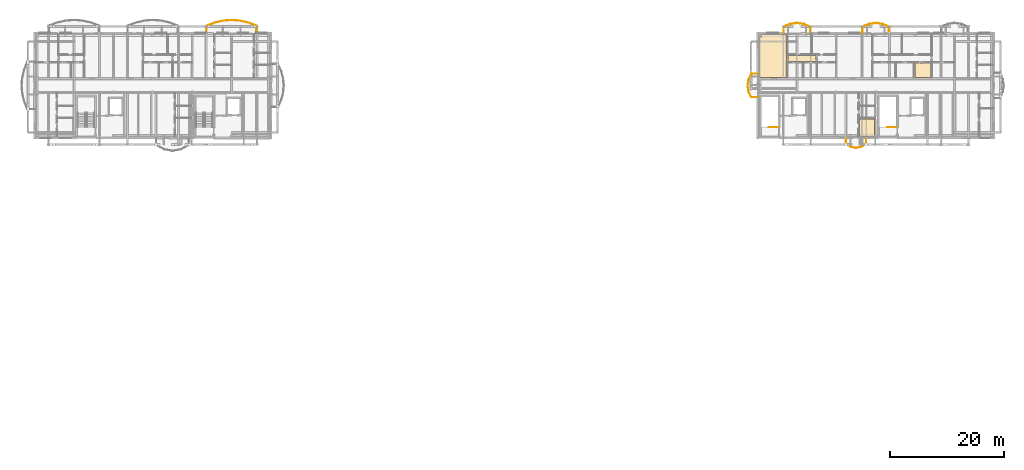
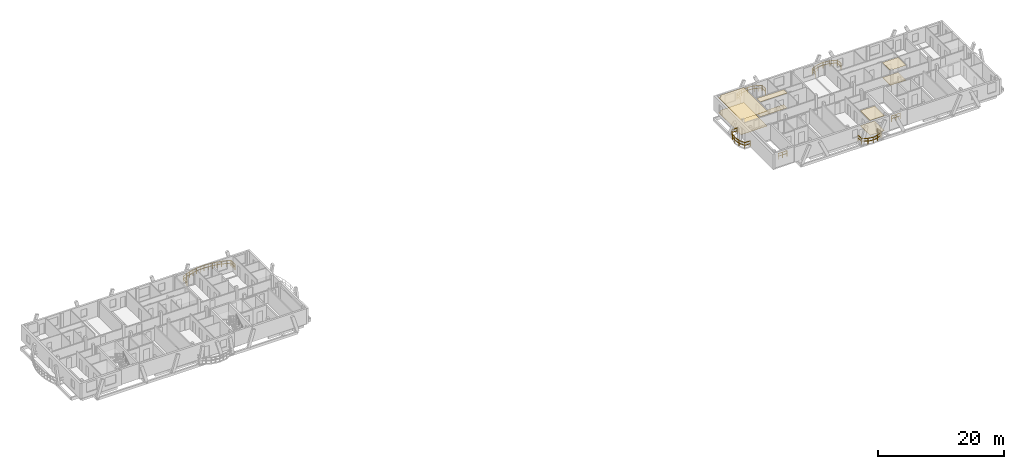
# One storey, part 28 of 29: 8 coverings, 7 railings.
"""IFC4 building model written with IfcOpenShell, lengths in metres."""

from ifc_helpers import new_model, si_unit, direction, frame, origin, origin_2d, place, context, subcontext, project, spatial, polyline, rectangle, outline, extrude, material, layer, layer_set, type_object, element, save


model = new_model("IFC4")

# Units and contexts
model_context = context("Model", 3, precision=1e-05, world=origin(), true_north=direction((0.0, 1.0)))
body_context = subcontext(model_context, "Body", "Model", "MODEL_VIEW")
ifc_project = project(units=[si_unit("LENGTHUNIT", "METRE"), si_unit("AREAUNIT", "SQUARE_METRE"), si_unit("VOLUMEUNIT", "CUBIC_METRE"), si_unit("PLANEANGLEUNIT", "RADIAN"), si_unit("MASSUNIT", "GRAM", prefix="KILO")], contexts=[model_context])

# Site, building, storey
site_placement = place(None, origin())
site = spatial("IfcSite", under=ifc_project, at=site_placement, CompositionType="ELEMENT")
building_placement = place(site_placement, origin())
building = spatial("IfcBuilding", under=site, at=building_placement, Name="Zavelmont Quarter", CompositionType="ELEMENT")
storey_placement = place(building_placement, frame((0.0, 0.0, 33.60009765625)))
storey = spatial("IfcBuildingStorey", under=building, at=storey_placement, Name="L10", CompositionType="ELEMENT", Elevation=33.60009765625)

# Coverings
ifc_material_1 = material(Name="Perforated acoustic gypsum board")
ifc_layer_1 = layer(ifc_material_1, 0.02490234375)
ifc_layer_set_1 = layer_set([ifc_layer_1], Name="Perforated acoustic gypsum board")
covering_type_1 = type_object("IfcCoveringType", Name="CV-CL01", PredefinedType="CEILING", material=ifc_layer_set_1)
covering_1_placement = place(storey_placement, frame((0.0, 0.0, 2.885009765625)))
element("IfcCovering", 1, at=covering_1_placement, inside=storey, type_object=covering_type_1, Name="L10 Living Dining acoustic ceiling", PredefinedType="CEILING", context=body_context, shape_type="SweptSolid", body=[
    extrude(outline(polyline([(126.830078125, 115.320068359375), (127.280029296875, 115.320068359375), (127.280029296875, 115.719970703125), (131.669921875, 115.719970703125), (131.669921875, 108.22998046875), (127.280029296875, 108.22998046875), (127.280029296875, 108.239990234375), (126.830078125, 108.239990234375), (126.830078125, 115.320068359375)])), origin(), (0.0, 0.0, 1.0), 0.02490234375),
])
covering_2_placement = place(storey_placement, frame((0.0, 0.0, 2.885009765625)))
element("IfcCovering", 2, at=covering_2_placement, inside=storey, type_object=covering_type_1, Name="L10 Utility Laundry acoustic ceiling", PredefinedType="CEILING", context=body_context, shape_type="SweptSolid", body=[
    extrude(outline(polyline([(154.1298828125, 110.719970703125), (156.969970703125, 110.719970703125), (156.969970703125, 108.22998046875), (154.43994140625, 108.22998046875), (154.43994140625, 108.239990234375), (154.1298828125, 108.239990234375), (154.1298828125, 110.719970703125)])), origin(), (0.0, 0.0, 1.0), 0.02490234375),
])
covering_3_placement = place(storey_placement, frame((0.0, 0.0, 2.885009765625)))
element("IfcCovering", 3, at=covering_3_placement, inside=storey, type_object=covering_type_1, Name="L10 Single Bedroom acoustic ceiling", PredefinedType="CEILING", context=body_context, shape_type="SweptSolid", body=[
    extrude(outline(polyline([(144.429931640625, 100.969970703125), (147.070068359375, 100.969970703125), (147.070068359375, 98.280029296875), (147.06005859375, 98.280029296875), (147.06005859375, 97.8798828125), (144.429931640625, 97.8798828125), (144.429931640625, 100.969970703125)])), origin(), (0.0, 0.0, 1.0), 0.02490234375),
])
ifc_material_2 = material(Name="Slatted European ash acoustic baffle ceiling")
ifc_layer_2 = layer(ifc_material_2, 0.0400390625)
ifc_layer_set_2 = layer_set([ifc_layer_2], Name="Slatted European ash acoustic baffle ceiling")
covering_type_2 = type_object("IfcCoveringType", Name="CV-CL02", PredefinedType="CEILING", material=ifc_layer_set_2)
covering_4_placement = place(storey_placement, frame((0.0, 0.0, 2.869873046875)))
element("IfcCovering", 4, at=covering_4_placement, inside=storey, type_object=covering_type_2, Name="L10 Apartment Hall acoustic ceiling", PredefinedType="CEILING", context=body_context, shape_type="SweptSolid", body=[
    extrude(outline(polyline([(131.929931640625, 112.070068359375), (136.8701171875, 112.070068359375), (136.8701171875, 110.97998046875), (131.929931640625, 110.97998046875), (131.929931640625, 112.070068359375)])), origin(), (0.0, 0.0, 1.0), 0.0400390625),
])
ifc_material_3 = material(Name="Engineered European oak parquet")
ifc_layer_3 = layer(ifc_material_3, 0.02197265625)
ifc_layer_set_3 = layer_set([ifc_layer_3], Name="Engineered European oak parquet")
covering_type_3 = type_object("IfcCoveringType", Name="CV-FL01", PredefinedType="FLOORING", material=ifc_layer_set_3)
covering_5_placement = place(storey_placement, origin())
element("IfcCovering", 5, at=covering_5_placement, inside=storey, type_object=covering_type_3, Name="L10 Living Dining floor finish", PredefinedType="FLOORING", context=body_context, shape_type="SweptSolid", body=[
    extrude(outline(polyline([(126.830078125, 115.320068359375), (127.280029296875, 115.320068359375), (127.280029296875, 115.719970703125), (131.669921875, 115.719970703125), (131.669921875, 108.22998046875), (127.280029296875, 108.22998046875), (127.280029296875, 108.239990234375), (126.830078125, 108.239990234375), (126.830078125, 115.320068359375)])), origin(), (0.0, 0.0, 1.0), 0.02197265625),
])
covering_6_placement = place(storey_placement, origin())
element("IfcCovering", 6, at=covering_6_placement, inside=storey, type_object=covering_type_3, Name="L10 Utility Laundry floor finish", PredefinedType="FLOORING", context=body_context, shape_type="SweptSolid", body=[
    extrude(outline(polyline([(154.1298828125, 110.719970703125), (156.969970703125, 110.719970703125), (156.969970703125, 108.22998046875), (154.43994140625, 108.22998046875), (154.43994140625, 108.239990234375), (154.1298828125, 108.239990234375), (154.1298828125, 110.719970703125)])), origin(), (0.0, 0.0, 1.0), 0.02197265625),
])
covering_7_placement = place(storey_placement, origin())
element("IfcCovering", 7, at=covering_7_placement, inside=storey, type_object=covering_type_3, Name="L10 Single Bedroom floor finish", PredefinedType="FLOORING", context=body_context, shape_type="SweptSolid", body=[
    extrude(outline(polyline([(144.429931640625, 100.969970703125), (147.070068359375, 100.969970703125), (147.070068359375, 98.280029296875), (147.06005859375, 98.280029296875), (147.06005859375, 97.8798828125), (144.429931640625, 97.8798828125), (144.429931640625, 100.969970703125)])), origin(), (0.0, 0.0, 1.0), 0.02197265625),
])
ifc_material_4 = material(Name="Honed Belgian bluestone tile", Category="masonry")
ifc_layer_4 = layer(ifc_material_4, 0.030029296875)
ifc_layer_set_4 = layer_set([ifc_layer_4], Name="Honed Belgian bluestone tile")
covering_type_4 = type_object("IfcCoveringType", Name="CV-FL02", PredefinedType="FLOORING", material=ifc_layer_set_4)
covering_8_placement = place(storey_placement, origin())
element("IfcCovering", 8, at=covering_8_placement, inside=storey, type_object=covering_type_4, Name="L10 Apartment Hall floor finish", PredefinedType="FLOORING", context=body_context, shape_type="SweptSolid", body=[
    extrude(outline(polyline([(131.929931640625, 112.070068359375), (136.8701171875, 112.070068359375), (136.8701171875, 110.97998046875), (131.929931640625, 110.97998046875), (131.929931640625, 112.070068359375)])), origin(), (0.0, 0.0, 1.0), 0.02978515625),
])

# Railings
ifc_material_5 = material(Name="Powder-coated steel and tempered double safety glass", Category="steel")
railing_type_1 = type_object("IfcRailingType", Name="RL-BAL1", PredefinedType="BALUSTRADE", material=ifc_material_5)
railing_1_placement = place(storey_placement, frame((38.87451171875, 116.02001953125, 0.0)))
element("IfcRailing", 9, at=railing_1_placement, inside=storey, type_object=railing_type_1, Name="L10 Block B curved balcony guard RL-BAL1", PredefinedType="BALUSTRADE", context=body_context, shape_type="SweptSolid", body=[
    extrude(rectangle(XDim=0.048095703125, YDim=0.048095703125, at=origin_2d()), frame((0.0, 0.0, 1.076171875), z_axis=(0.0, 1.0, 0.0), x_axis=(-1.0, 0.0, 0.0)), (0.0, 0.0, 1.0), 1.239990234375),
    extrude(rectangle(XDim=0.048095703125, YDim=0.048095703125, at=origin_2d()), frame((0.0, 0.0, 0.550048828125), z_axis=(0.0, 1.0, 0.0), x_axis=(-1.0, 0.0, 0.0)), (0.0, 0.0, 1.0), 1.239990234375),
    extrude(rectangle(XDim=0.048095703125, YDim=0.048095703125, at=origin_2d()), frame((0.0, 1.239990234375, 1.076171875), z_axis=(-0.935651500785, 0.352925302406, 0.0), x_axis=(-0.352925302406, -0.935651500785, 0.0)), (0.0, 0.0, 1.0), 1.55859375),
    extrude(rectangle(XDim=0.048095703125, YDim=0.048095703125, at=origin_2d()), frame((0.0, 1.239990234375, 0.550048828125), z_axis=(-0.935651500785, 0.352925302406, 0.0), x_axis=(-0.352925302406, -0.935651500785, 0.0)), (0.0, 0.0, 1.0), 1.55859375),
    extrude(rectangle(XDim=0.048095703125, YDim=0.048095703125, at=origin_2d()), frame((-1.458251953125, 1.7900390625, 1.076171875), z_axis=(-0.975353767197, 0.220646841842, 0.0), x_axis=(-0.220646841842, -0.975353767197, 0.0)), (0.0, 0.0, 1.0), 1.494873046875),
    extrude(rectangle(XDim=0.048095703125, YDim=0.048095703125, at=origin_2d()), frame((-1.458251953125, 1.7900390625, 0.550048828125), z_axis=(-0.975353767197, 0.220646841842, 0.0), x_axis=(-0.220646841842, -0.975353767197, 0.0)), (0.0, 0.0, 1.0), 1.494873046875),
    extrude(rectangle(XDim=0.048095703125, YDim=0.048095703125, at=origin_2d()), frame((-2.916259765625, 2.119873046875, 1.076171875), z_axis=(-0.997161519689, 0.075292122113, 0.0), x_axis=(-0.075292122113, -0.997161519689, 0.0)), (0.0, 0.0, 1.0), 1.46240234375),
    extrude(rectangle(XDim=0.048095703125, YDim=0.048095703125, at=origin_2d()), frame((-2.916259765625, 2.119873046875, 0.550048828125), z_axis=(-0.997161519689, 0.075292122113, 0.0), x_axis=(-0.075292122113, -0.997161519689, 0.0)), (0.0, 0.0, 1.0), 1.46240234375),
    extrude(rectangle(XDim=0.048095703125, YDim=0.048095703125, at=origin_2d()), frame((-4.37451171875, 2.22998046875, 1.076171875), z_axis=(-0.997161519689, -0.075292122113, 0.0), x_axis=(0.075292122113, -0.997161519689, 0.0)), (0.0, 0.0, 1.0), 1.46240234375),
    extrude(rectangle(XDim=0.048095703125, YDim=0.048095703125, at=origin_2d()), frame((-4.37451171875, 2.22998046875, 0.550048828125), z_axis=(-0.997161519689, -0.075292122113, 0.0), x_axis=(0.075292122113, -0.997161519689, 0.0)), (0.0, 0.0, 1.0), 1.46240234375),
    extrude(rectangle(XDim=0.048095703125, YDim=0.048095703125, at=origin_2d()), frame((-5.832763671875, 2.119873046875, 1.076171875), z_axis=(-0.975353767197, -0.220646841842, 0.0), x_axis=(0.220646841842, -0.975353767197, 0.0)), (0.0, 0.0, 1.0), 1.494873046875),
    extrude(rectangle(XDim=0.048095703125, YDim=0.048095703125, at=origin_2d()), frame((-5.832763671875, 2.119873046875, 0.550048828125), z_axis=(-0.975353767197, -0.220646841842, 0.0), x_axis=(0.220646841842, -0.975353767197, 0.0)), (0.0, 0.0, 1.0), 1.494873046875),
    extrude(rectangle(XDim=0.048095703125, YDim=0.048095703125, at=origin_2d()), frame((-7.290771484375, 1.7900390625, 1.076171875), z_axis=(-0.935651500785, -0.352925302406, 0.0), x_axis=(0.352925302406, -0.935651500785, 0.0)), (0.0, 0.0, 1.0), 1.55859375),
    extrude(rectangle(XDim=0.048095703125, YDim=0.048095703125, at=origin_2d()), frame((-7.290771484375, 1.7900390625, 0.550048828125), z_axis=(-0.935651500785, -0.352925302406, 0.0), x_axis=(0.352925302406, -0.935651500785, 0.0)), (0.0, 0.0, 1.0), 1.55859375),
    extrude(rectangle(XDim=0.048095703125, YDim=0.048095703125, at=origin_2d()), frame((-8.7490234375, 1.239990234375, 1.076171875), z_axis=(0.0, -1.0, 0.0), x_axis=(1.0, 0.0, 0.0)), (0.0, 0.0, 1.0), 1.239990234375),
    extrude(rectangle(XDim=0.048095703125, YDim=0.048095703125, at=origin_2d()), frame((-8.7490234375, 1.239990234375, 0.550048828125), z_axis=(0.0, -1.0, 0.0), x_axis=(1.0, 0.0, 0.0)), (0.0, 0.0, 1.0), 1.239990234375),
    extrude(rectangle(XDim=0.0419921875, YDim=0.0419921875, at=origin_2d()), origin(), (0.0, 0.0, 1.0), 1.052001953125),
    extrude(rectangle(XDim=0.0419921875, YDim=0.0419921875, at=origin_2d()), frame((0.0, 0.6201171875, 0.0)), (0.0, 0.0, 1.0), 1.052001953125),
    extrude(rectangle(XDim=0.0419921875, YDim=0.0419921875, at=origin_2d()), frame((0.0, 1.239990234375, 0.0)), (0.0, 0.0, 1.0), 1.052001953125),
    extrude(rectangle(XDim=0.0419921875, YDim=0.0419921875, at=origin_2d()), frame((-0.72900390625, 1.51513671875, 0.0)), (0.0, 0.0, 1.0), 1.052001953125),
    extrude(rectangle(XDim=0.0419921875, YDim=0.0419921875, at=origin_2d()), frame((-1.458251953125, 1.7900390625, 0.0)), (0.0, 0.0, 1.0), 1.052001953125),
    extrude(rectangle(XDim=0.0419921875, YDim=0.0419921875, at=origin_2d()), frame((-2.187255859375, 1.955078125, 0.0)), (0.0, 0.0, 1.0), 1.052001953125),
    extrude(rectangle(XDim=0.0419921875, YDim=0.0419921875, at=origin_2d()), frame((-2.916259765625, 2.119873046875, 0.0)), (0.0, 0.0, 1.0), 1.052001953125),
    extrude(rectangle(XDim=0.0419921875, YDim=0.0419921875, at=origin_2d()), frame((-3.6455078125, 2.1748046875, 0.0)), (0.0, 0.0, 1.0), 1.052001953125),
    extrude(rectangle(XDim=0.0419921875, YDim=0.0419921875, at=origin_2d()), frame((-4.37451171875, 2.22998046875, 0.0)), (0.0, 0.0, 1.0), 1.052001953125),
    extrude(rectangle(XDim=0.0419921875, YDim=0.0419921875, at=origin_2d()), frame((-5.103515625, 2.1748046875, 0.0)), (0.0, 0.0, 1.0), 1.052001953125),
    extrude(rectangle(XDim=0.0419921875, YDim=0.0419921875, at=origin_2d()), frame((-5.832763671875, 2.119873046875, 0.0)), (0.0, 0.0, 1.0), 1.052001953125),
    extrude(rectangle(XDim=0.0419921875, YDim=0.0419921875, at=origin_2d()), frame((-6.561767578125, 1.955078125, 0.0)), (0.0, 0.0, 1.0), 1.052001953125),
    extrude(rectangle(XDim=0.0419921875, YDim=0.0419921875, at=origin_2d()), frame((-7.290771484375, 1.7900390625, 0.0)), (0.0, 0.0, 1.0), 1.052001953125),
    extrude(rectangle(XDim=0.0419921875, YDim=0.0419921875, at=origin_2d()), frame((-8.02001953125, 1.51513671875, 0.0)), (0.0, 0.0, 1.0), 1.052001953125),
    extrude(rectangle(XDim=0.0419921875, YDim=0.0419921875, at=origin_2d()), frame((-8.7490234375, 1.239990234375, 0.0)), (0.0, 0.0, 1.0), 1.052001953125),
    extrude(rectangle(XDim=0.0419921875, YDim=0.0419921875, at=origin_2d()), frame((-8.7490234375, 0.6201171875, 0.0)), (0.0, 0.0, 1.0), 1.052001953125),
    extrude(rectangle(XDim=0.0419921875, YDim=0.0419921875, at=origin_2d()), frame((-8.7490234375, 0.0, 0.0)), (0.0, 0.0, 1.0), 1.052001953125),
])
railing_2_placement = place(storey_placement, frame((135.808837890625, 116.02001953125, 0.0)))
element("IfcRailing", 10, at=railing_2_placement, inside=storey, type_object=railing_type_1, Name="L10 Block C curved balcony guard RL-BAL1", PredefinedType="BALUSTRADE", context=body_context, shape_type="SweptSolid", body=[
    extrude(rectangle(XDim=0.048095703125, YDim=0.048095703125, at=origin_2d()), frame((0.0, 0.0, 1.076171875), z_axis=(0.0, 1.0, 0.0), x_axis=(-1.0, 0.0, 0.0)), (0.0, 0.0, 1.0), 1.080078125),
    extrude(rectangle(XDim=0.048095703125, YDim=0.048095703125, at=origin_2d()), frame((0.0, 0.0, 0.550048828125), z_axis=(0.0, 1.0, 0.0), x_axis=(-1.0, 0.0, 0.0)), (0.0, 0.0, 1.0), 1.080078125),
    extrude(rectangle(XDim=0.048095703125, YDim=0.048095703125, at=origin_2d()), frame((0.0, 1.080078125, 1.076171875), z_axis=(-0.925930107174, 0.377694898866, 0.0), x_axis=(-0.377694898866, -0.925930107174, 0.0)), (0.0, 0.0, 1.0), 1.246826171875),
    extrude(rectangle(XDim=0.048095703125, YDim=0.048095703125, at=origin_2d()), frame((0.0, 1.080078125, 0.550048828125), z_axis=(-0.925930107174, 0.377694898866, 0.0), x_axis=(-0.377694898866, -0.925930107174, 0.0)), (0.0, 0.0, 1.0), 1.246826171875),
    extrude(rectangle(XDim=0.048095703125, YDim=0.048095703125, at=origin_2d()), frame((-1.154541015625, 1.551025390625, 1.076171875), z_axis=(-0.990878566261, 0.134757808398, 0.0), x_axis=(-0.134757808398, -0.990878566261, 0.0)), (0.0, 0.0, 1.0), 1.1650390625),
    extrude(rectangle(XDim=0.048095703125, YDim=0.048095703125, at=origin_2d()), frame((-1.154541015625, 1.551025390625, 0.550048828125), z_axis=(-0.990878566261, 0.134757808398, 0.0), x_axis=(-0.134757808398, -0.990878566261, 0.0)), (0.0, 0.0, 1.0), 1.1650390625),
    extrude(rectangle(XDim=0.048095703125, YDim=0.048095703125, at=origin_2d()), frame((-2.308837890625, 1.7080078125, 1.076171875), z_axis=(-0.990878566261, -0.134757808398, 0.0), x_axis=(0.134757808398, -0.990878566261, 0.0)), (0.0, 0.0, 1.0), 1.1650390625),
    extrude(rectangle(XDim=0.048095703125, YDim=0.048095703125, at=origin_2d()), frame((-2.308837890625, 1.7080078125, 0.550048828125), z_axis=(-0.990878566261, -0.134757808398, 0.0), x_axis=(0.134757808398, -0.990878566261, 0.0)), (0.0, 0.0, 1.0), 1.1650390625),
    extrude(rectangle(XDim=0.048095703125, YDim=0.048095703125, at=origin_2d()), frame((-3.463134765625, 1.551025390625, 1.076171875), z_axis=(-0.925930107174, -0.377694898866, 0.0), x_axis=(0.377694898866, -0.925930107174, 0.0)), (0.0, 0.0, 1.0), 1.246826171875),
    extrude(rectangle(XDim=0.048095703125, YDim=0.048095703125, at=origin_2d()), frame((-3.463134765625, 1.551025390625, 0.550048828125), z_axis=(-0.925930107174, -0.377694898866, 0.0), x_axis=(0.377694898866, -0.925930107174, 0.0)), (0.0, 0.0, 1.0), 1.246826171875),
    extrude(rectangle(XDim=0.048095703125, YDim=0.048095703125, at=origin_2d()), frame((-4.61767578125, 1.080078125, 1.076171875), z_axis=(0.0, -1.0, 0.0), x_axis=(1.0, 0.0, 0.0)), (0.0, 0.0, 1.0), 1.080078125),
    extrude(rectangle(XDim=0.048095703125, YDim=0.048095703125, at=origin_2d()), frame((-4.61767578125, 1.080078125, 0.550048828125), z_axis=(0.0, -1.0, 0.0), x_axis=(1.0, 0.0, 0.0)), (0.0, 0.0, 1.0), 1.080078125),
    extrude(rectangle(XDim=0.0419921875, YDim=0.0419921875, at=origin_2d()), origin(), (0.0, 0.0, 1.0), 1.052001953125),
    extrude(rectangle(XDim=0.0419921875, YDim=0.0419921875, at=origin_2d()), frame((0.0, 1.080078125, 0.0)), (0.0, 0.0, 1.0), 1.052001953125),
    extrude(rectangle(XDim=0.0419921875, YDim=0.0419921875, at=origin_2d()), frame((-0.5771484375, 1.3154296875, 0.0)), (0.0, 0.0, 1.0), 1.052001953125),
    extrude(rectangle(XDim=0.0419921875, YDim=0.0419921875, at=origin_2d()), frame((-1.154541015625, 1.551025390625, 0.0)), (0.0, 0.0, 1.0), 1.052001953125),
    extrude(rectangle(XDim=0.0419921875, YDim=0.0419921875, at=origin_2d()), frame((-2.308837890625, 1.7080078125, 0.0)), (0.0, 0.0, 1.0), 1.052001953125),
    extrude(rectangle(XDim=0.0419921875, YDim=0.0419921875, at=origin_2d()), frame((-3.463134765625, 1.551025390625, 0.0)), (0.0, 0.0, 1.0), 1.052001953125),
    extrude(rectangle(XDim=0.0419921875, YDim=0.0419921875, at=origin_2d()), frame((-4.04052734375, 1.3154296875, 0.0)), (0.0, 0.0, 1.0), 1.052001953125),
    extrude(rectangle(XDim=0.0419921875, YDim=0.0419921875, at=origin_2d()), frame((-4.61767578125, 1.080078125, 0.0)), (0.0, 0.0, 1.0), 1.052001953125),
    extrude(rectangle(XDim=0.0419921875, YDim=0.0419921875, at=origin_2d()), frame((-4.61767578125, 0.0, 0.0)), (0.0, 0.0, 1.0), 1.052001953125),
])
railing_3_placement = place(storey_placement, frame((149.60888671875, 116.02001953125, 0.0)))
element("IfcRailing", 11, at=railing_3_placement, inside=storey, type_object=railing_type_1, Name="L10 Block C curved balcony guard RL-BAL1", PredefinedType="BALUSTRADE", context=body_context, shape_type="SweptSolid", body=[
    extrude(rectangle(XDim=0.048095703125, YDim=0.048095703125, at=origin_2d()), frame((0.0, 0.0, 1.076171875), z_axis=(0.0, 1.0, 0.0), x_axis=(-1.0, 0.0, 0.0)), (0.0, 0.0, 1.0), 1.080078125),
    extrude(rectangle(XDim=0.048095703125, YDim=0.048095703125, at=origin_2d()), frame((0.0, 0.0, 0.550048828125), z_axis=(0.0, 1.0, 0.0), x_axis=(-1.0, 0.0, 0.0)), (0.0, 0.0, 1.0), 1.080078125),
    extrude(rectangle(XDim=0.048095703125, YDim=0.048095703125, at=origin_2d()), frame((0.0, 1.080078125, 1.076171875), z_axis=(-0.925930107174, 0.377694898866, 0.0), x_axis=(-0.377694898866, -0.925930107174, 0.0)), (0.0, 0.0, 1.0), 1.246826171875),
    extrude(rectangle(XDim=0.048095703125, YDim=0.048095703125, at=origin_2d()), frame((0.0, 1.080078125, 0.550048828125), z_axis=(-0.925930107174, 0.377694898866, 0.0), x_axis=(-0.377694898866, -0.925930107174, 0.0)), (0.0, 0.0, 1.0), 1.246826171875),
    extrude(rectangle(XDim=0.048095703125, YDim=0.048095703125, at=origin_2d()), frame((-1.154541015625, 1.551025390625, 1.076171875), z_axis=(-0.990878566261, 0.134757808398, 0.0), x_axis=(-0.134757808398, -0.990878566261, 0.0)), (0.0, 0.0, 1.0), 1.1650390625),
    extrude(rectangle(XDim=0.048095703125, YDim=0.048095703125, at=origin_2d()), frame((-1.154541015625, 1.551025390625, 0.550048828125), z_axis=(-0.990878566261, 0.134757808398, 0.0), x_axis=(-0.134757808398, -0.990878566261, 0.0)), (0.0, 0.0, 1.0), 1.1650390625),
    extrude(rectangle(XDim=0.048095703125, YDim=0.048095703125, at=origin_2d()), frame((-2.308837890625, 1.7080078125, 1.076171875), z_axis=(-0.990882370919, -0.134729829668, 0.0), x_axis=(0.134729829668, -0.990882370919, 0.0)), (0.0, 0.0, 1.0), 1.165283203125),
    extrude(rectangle(XDim=0.048095703125, YDim=0.048095703125, at=origin_2d()), frame((-2.308837890625, 1.7080078125, 0.550048828125), z_axis=(-0.990882370919, -0.134729829668, 0.0), x_axis=(0.134729829668, -0.990882370919, 0.0)), (0.0, 0.0, 1.0), 1.165283203125),
    extrude(rectangle(XDim=0.048095703125, YDim=0.048095703125, at=origin_2d()), frame((-3.46337890625, 1.551025390625, 1.076171875), z_axis=(-0.925902168277, -0.377763384646, 0.0), x_axis=(0.377763384646, -0.925902168277, 0.0)), (0.0, 0.0, 1.0), 1.24658203125),
    extrude(rectangle(XDim=0.048095703125, YDim=0.048095703125, at=origin_2d()), frame((-3.46337890625, 1.551025390625, 0.550048828125), z_axis=(-0.925902168277, -0.377763384646, 0.0), x_axis=(0.377763384646, -0.925902168277, 0.0)), (0.0, 0.0, 1.0), 1.24658203125),
    extrude(rectangle(XDim=0.048095703125, YDim=0.048095703125, at=origin_2d()), frame((-4.61767578125, 1.080078125, 1.076171875), z_axis=(0.0, -1.0, 0.0), x_axis=(1.0, 0.0, 0.0)), (0.0, 0.0, 1.0), 1.080078125),
    extrude(rectangle(XDim=0.048095703125, YDim=0.048095703125, at=origin_2d()), frame((-4.61767578125, 1.080078125, 0.550048828125), z_axis=(0.0, -1.0, 0.0), x_axis=(1.0, 0.0, 0.0)), (0.0, 0.0, 1.0), 1.080078125),
    extrude(rectangle(XDim=0.0419921875, YDim=0.0419921875, at=origin_2d()), origin(), (0.0, 0.0, 1.0), 1.052001953125),
    extrude(rectangle(XDim=0.0419921875, YDim=0.0419921875, at=origin_2d()), frame((0.0, 1.080078125, 0.0)), (0.0, 0.0, 1.0), 1.052001953125),
    extrude(rectangle(XDim=0.0419921875, YDim=0.0419921875, at=origin_2d()), frame((-0.5771484375, 1.3154296875, 0.0)), (0.0, 0.0, 1.0), 1.052001953125),
    extrude(rectangle(XDim=0.0419921875, YDim=0.0419921875, at=origin_2d()), frame((-1.154541015625, 1.551025390625, 0.0)), (0.0, 0.0, 1.0), 1.052001953125),
    extrude(rectangle(XDim=0.0419921875, YDim=0.0419921875, at=origin_2d()), frame((-2.308837890625, 1.7080078125, 0.0)), (0.0, 0.0, 1.0), 1.052001953125),
    extrude(rectangle(XDim=0.0419921875, YDim=0.0419921875, at=origin_2d()), frame((-3.46337890625, 1.551025390625, 0.0)), (0.0, 0.0, 1.0), 1.052001953125),
    extrude(rectangle(XDim=0.0419921875, YDim=0.0419921875, at=origin_2d()), frame((-4.04052734375, 1.3154296875, 0.0)), (0.0, 0.0, 1.0), 1.052001953125),
    extrude(rectangle(XDim=0.0419921875, YDim=0.0419921875, at=origin_2d()), frame((-4.61767578125, 1.080078125, 0.0)), (0.0, 0.0, 1.0), 1.052001953125),
    extrude(rectangle(XDim=0.0419921875, YDim=0.0419921875, at=origin_2d()), frame((-4.61767578125, 0.0, 0.0)), (0.0, 0.0, 1.0), 1.052001953125),
])
railing_4_placement = place(storey_placement, frame((126.580078125, 108.851806640625, 0.0)))
element("IfcRailing", 12, at=railing_4_placement, inside=storey, type_object=railing_type_1, Name="L10 Block C curved balcony guard RL-BAL1", PredefinedType="BALUSTRADE", context=body_context, shape_type="SweptSolid", body=[
    extrude(rectangle(XDim=0.048095703125, YDim=0.048095703125, at=origin_2d()), frame((0.0, 0.0, 1.076171875), z_axis=(-1.0, 0.0, 0.0), x_axis=(0.0, -1.0, 0.0)), (0.0, 0.0, 1.0), 1.080078125),
    extrude(rectangle(XDim=0.048095703125, YDim=0.048095703125, at=origin_2d()), frame((0.0, 0.0, 0.550048828125), z_axis=(-1.0, 0.0, 0.0), x_axis=(0.0, -1.0, 0.0)), (0.0, 0.0, 1.0), 1.080078125),
    extrude(rectangle(XDim=0.048095703125, YDim=0.048095703125, at=origin_2d()), frame((-1.080078125, 0.0, 1.076171875), z_axis=(-0.417205731153, -0.908812069623, 0.0), x_axis=(0.908812069623, -0.417205731153, 0.0)), (0.0, 0.0, 1.0), 1.12890625),
    extrude(rectangle(XDim=0.048095703125, YDim=0.048095703125, at=origin_2d()), frame((-1.080078125, 0.0, 0.550048828125), z_axis=(-0.417205731153, -0.908812069623, 0.0), x_axis=(0.908812069623, -0.417205731153, 0.0)), (0.0, 0.0, 1.0), 1.12890625),
    extrude(rectangle(XDim=0.048095703125, YDim=0.048095703125, at=origin_2d()), frame((-1.551025390625, -1.02587890625, 1.076171875), z_axis=(-0.15126165797, -0.988493758619, 0.0), x_axis=(0.988493758619, -0.15126165797, 0.0)), (0.0, 0.0, 1.0), 1.037841796875),
    extrude(rectangle(XDim=0.048095703125, YDim=0.048095703125, at=origin_2d()), frame((-1.551025390625, -1.02587890625, 0.550048828125), z_axis=(-0.15126165797, -0.988493758619, 0.0), x_axis=(0.988493758619, -0.15126165797, 0.0)), (0.0, 0.0, 1.0), 1.037841796875),
    extrude(rectangle(XDim=0.048095703125, YDim=0.048095703125, at=origin_2d()), frame((-1.7080078125, -2.0517578125, 1.076171875), z_axis=(0.15126165797, -0.988493758619, 0.0), x_axis=(0.988493758619, 0.15126165797, 0.0)), (0.0, 0.0, 1.0), 1.037841796875),
    extrude(rectangle(XDim=0.048095703125, YDim=0.048095703125, at=origin_2d()), frame((-1.7080078125, -2.0517578125, 0.550048828125), z_axis=(0.15126165797, -0.988493758619, 0.0), x_axis=(0.988493758619, 0.15126165797, 0.0)), (0.0, 0.0, 1.0), 1.037841796875),
    extrude(rectangle(XDim=0.048095703125, YDim=0.048095703125, at=origin_2d()), frame((-1.551025390625, -3.07763671875, 1.076171875), z_axis=(0.417205731153, -0.908812069623, 0.0), x_axis=(0.908812069623, 0.417205731153, 0.0)), (0.0, 0.0, 1.0), 1.12890625),
    extrude(rectangle(XDim=0.048095703125, YDim=0.048095703125, at=origin_2d()), frame((-1.551025390625, -3.07763671875, 0.550048828125), z_axis=(0.417205731153, -0.908812069623, 0.0), x_axis=(0.908812069623, 0.417205731153, 0.0)), (0.0, 0.0, 1.0), 1.12890625),
    extrude(rectangle(XDim=0.048095703125, YDim=0.048095703125, at=origin_2d()), frame((-1.080078125, -4.103515625, 1.076171875), z_axis=(1.0, 0.0, 0.0), x_axis=(0.0, 1.0, 0.0)), (0.0, 0.0, 1.0), 1.080078125),
    extrude(rectangle(XDim=0.048095703125, YDim=0.048095703125, at=origin_2d()), frame((-1.080078125, -4.103515625, 0.550048828125), z_axis=(1.0, 0.0, 0.0), x_axis=(0.0, 1.0, 0.0)), (0.0, 0.0, 1.0), 1.080078125),
    extrude(rectangle(XDim=0.0419921875, YDim=0.0419921875, at=origin_2d()), origin(), (0.0, 0.0, 1.0), 1.052001953125),
    extrude(rectangle(XDim=0.0419921875, YDim=0.0419921875, at=origin_2d()), frame((-1.080078125, 0.0, 0.0)), (0.0, 0.0, 1.0), 1.052001953125),
    extrude(rectangle(XDim=0.0419921875, YDim=0.0419921875, at=origin_2d()), frame((-1.551025390625, -1.02587890625, 0.0)), (0.0, 0.0, 1.0), 1.052001953125),
    extrude(rectangle(XDim=0.0419921875, YDim=0.0419921875, at=origin_2d()), frame((-1.7080078125, -2.0517578125, 0.0)), (0.0, 0.0, 1.0), 1.052001953125),
    extrude(rectangle(XDim=0.0419921875, YDim=0.0419921875, at=origin_2d()), frame((-1.551025390625, -3.07763671875, 0.0)), (0.0, 0.0, 1.0), 1.052001953125),
    extrude(rectangle(XDim=0.0419921875, YDim=0.0419921875, at=origin_2d()), frame((-1.080078125, -4.103515625, 0.0)), (0.0, 0.0, 1.0), 1.052001953125),
    extrude(rectangle(XDim=0.0419921875, YDim=0.0419921875, at=origin_2d()), frame((0.0, -4.103515625, 0.0)), (0.0, 0.0, 1.0), 1.052001953125),
])
railing_5_placement = place(storey_placement, frame((142.073486328125, 97.580078125, 0.0)))
element("IfcRailing", 13, at=railing_5_placement, inside=storey, type_object=railing_type_1, Name="L10 Block C curved balcony guard RL-BAL1", PredefinedType="BALUSTRADE", context=body_context, shape_type="SweptSolid", body=[
    extrude(rectangle(XDim=0.048095703125, YDim=0.048095703125, at=origin_2d()), frame((0.0, 0.0, 1.076171875), z_axis=(0.0, -1.0, 0.0), x_axis=(1.0, 0.0, 0.0)), (0.0, 0.0, 1.0), 1.080078125),
    extrude(rectangle(XDim=0.048095703125, YDim=0.048095703125, at=origin_2d()), frame((0.0, 0.0, 0.550048828125), z_axis=(0.0, -1.0, 0.0), x_axis=(1.0, 0.0, 0.0)), (0.0, 0.0, 1.0), 1.080078125),
    extrude(rectangle(XDim=0.048095703125, YDim=0.048095703125, at=origin_2d()), frame((0.0, -1.080078125, 1.076171875), z_axis=(0.883539745077, -0.468356188033, 0.0), x_axis=(0.468356188033, 0.883539745077, 0.0)), (0.0, 0.0, 1.0), 1.005615234375),
    extrude(rectangle(XDim=0.048095703125, YDim=0.048095703125, at=origin_2d()), frame((0.0, -1.080078125, 0.550048828125), z_axis=(0.883539745077, -0.468356188033, 0.0), x_axis=(0.468356188033, 0.883539745077, 0.0)), (0.0, 0.0, 1.0), 1.005615234375),
    extrude(rectangle(XDim=0.048095703125, YDim=0.048095703125, at=origin_2d()), frame((0.888427734375, -1.551025390625, 1.076171875), z_axis=(0.984737199243, -0.174047833731, 0.0), x_axis=(0.174047833731, 0.984737199243, 0.0)), (0.0, 0.0, 1.0), 0.90185546875),
    extrude(rectangle(XDim=0.048095703125, YDim=0.048095703125, at=origin_2d()), frame((0.888427734375, -1.551025390625, 0.550048828125), z_axis=(0.984737199243, -0.174047833731, 0.0), x_axis=(0.174047833731, 0.984737199243, 0.0)), (0.0, 0.0, 1.0), 0.90185546875),
    extrude(rectangle(XDim=0.048095703125, YDim=0.048095703125, at=origin_2d()), frame((1.776611328125, -1.7080078125, 1.076171875), z_axis=(0.984737199243, 0.174047833731, 0.0), x_axis=(-0.174047833731, 0.984737199243, 0.0)), (0.0, 0.0, 1.0), 0.90185546875),
    extrude(rectangle(XDim=0.048095703125, YDim=0.048095703125, at=origin_2d()), frame((1.776611328125, -1.7080078125, 0.550048828125), z_axis=(0.984737199243, 0.174047833731, 0.0), x_axis=(-0.174047833731, 0.984737199243, 0.0)), (0.0, 0.0, 1.0), 0.90185546875),
    extrude(rectangle(XDim=0.048095703125, YDim=0.048095703125, at=origin_2d()), frame((2.664794921875, -1.551025390625, 1.076171875), z_axis=(0.883486468499, 0.468456678871, 0.0), x_axis=(-0.468456678871, 0.883486468499, 0.0)), (0.0, 0.0, 1.0), 1.00537109375),
    extrude(rectangle(XDim=0.048095703125, YDim=0.048095703125, at=origin_2d()), frame((2.664794921875, -1.551025390625, 0.550048828125), z_axis=(0.883486468499, 0.468456678871, 0.0), x_axis=(-0.468456678871, 0.883486468499, 0.0)), (0.0, 0.0, 1.0), 1.00537109375),
    extrude(rectangle(XDim=0.048095703125, YDim=0.048095703125, at=origin_2d()), frame((3.552978515625, -1.080078125, 1.076171875), z_axis=(0.0, 1.0, 0.0), x_axis=(-1.0, 0.0, 0.0)), (0.0, 0.0, 1.0), 1.080078125),
    extrude(rectangle(XDim=0.048095703125, YDim=0.048095703125, at=origin_2d()), frame((3.552978515625, -1.080078125, 0.550048828125), z_axis=(0.0, 1.0, 0.0), x_axis=(-1.0, 0.0, 0.0)), (0.0, 0.0, 1.0), 1.080078125),
    extrude(rectangle(XDim=0.0419921875, YDim=0.0419921875, at=origin_2d()), origin(), (0.0, 0.0, 1.0), 1.052001953125),
    extrude(rectangle(XDim=0.0419921875, YDim=0.0419921875, at=origin_2d()), frame((0.0, -1.080078125, 0.0)), (0.0, 0.0, 1.0), 1.052001953125),
    extrude(rectangle(XDim=0.0419921875, YDim=0.0419921875, at=origin_2d()), frame((0.888427734375, -1.551025390625, 0.0)), (0.0, 0.0, 1.0), 1.052001953125),
    extrude(rectangle(XDim=0.0419921875, YDim=0.0419921875, at=origin_2d()), frame((1.776611328125, -1.7080078125, 0.0)), (0.0, 0.0, 1.0), 1.052001953125),
    extrude(rectangle(XDim=0.0419921875, YDim=0.0419921875, at=origin_2d()), frame((2.664794921875, -1.551025390625, 0.0)), (0.0, 0.0, 1.0), 1.052001953125),
    extrude(rectangle(XDim=0.0419921875, YDim=0.0419921875, at=origin_2d()), frame((3.552978515625, -1.080078125, 0.0)), (0.0, 0.0, 1.0), 1.052001953125),
    extrude(rectangle(XDim=0.0419921875, YDim=0.0419921875, at=origin_2d()), frame((3.552978515625, 0.0, 0.0)), (0.0, 0.0, 1.0), 1.052001953125),
])
ifc_material_6 = material(Name="Powder-coated steel stair guardrail", Category="steel")
railing_type_2 = type_object("IfcRailingType", Name="RL-GRD1", PredefinedType="GUARDRAIL", material=ifc_material_6)
for number, where, name in (
    (14, (130.199951171875, 99.5, 0.0), "L10 ST05 top well guardrail 1"),
    (15, (150.89990234375, 99.5, 0.0), "L10 ST06 top well guardrail 1"),
):
    element("IfcRailing", number, at=place(storey_placement, frame(where)), inside=storey, type_object=railing_type_2, Name=name, PredefinedType="GUARDRAIL", context=body_context, shape_type="SweptSolid", body=[
        extrude(rectangle(XDim=0.048095703125, YDim=0.048095703125, at=origin_2d()), frame((0.0, 0.0, 1.076171875), z_axis=(-1.0, 0.0, 0.0), x_axis=(0.0, -1.0, 0.0)), (0.0, 0.0, 1.0), 1.599853515625),
        extrude(rectangle(XDim=0.048095703125, YDim=0.048095703125, at=origin_2d()), frame((0.0, 0.0, 0.550048828125), z_axis=(-1.0, 0.0, 0.0), x_axis=(0.0, -1.0, 0.0)), (0.0, 0.0, 1.0), 1.599853515625),
        extrude(rectangle(XDim=0.0419921875, YDim=0.0419921875, at=origin_2d()), origin(), (0.0, 0.0, 1.0), 1.052001953125),
        extrude(rectangle(XDim=0.0419921875, YDim=0.0419921875, at=origin_2d()), frame((-0.7998046875, 0.0, 0.0)), (0.0, 0.0, 1.0), 1.052001953125),
        extrude(rectangle(XDim=0.0419921875, YDim=0.0419921875, at=origin_2d()), frame((-1.599853515625, 0.0, 0.0)), (0.0, 0.0, 1.0), 1.052001953125),
    ])

save(model, "model.ifc")
